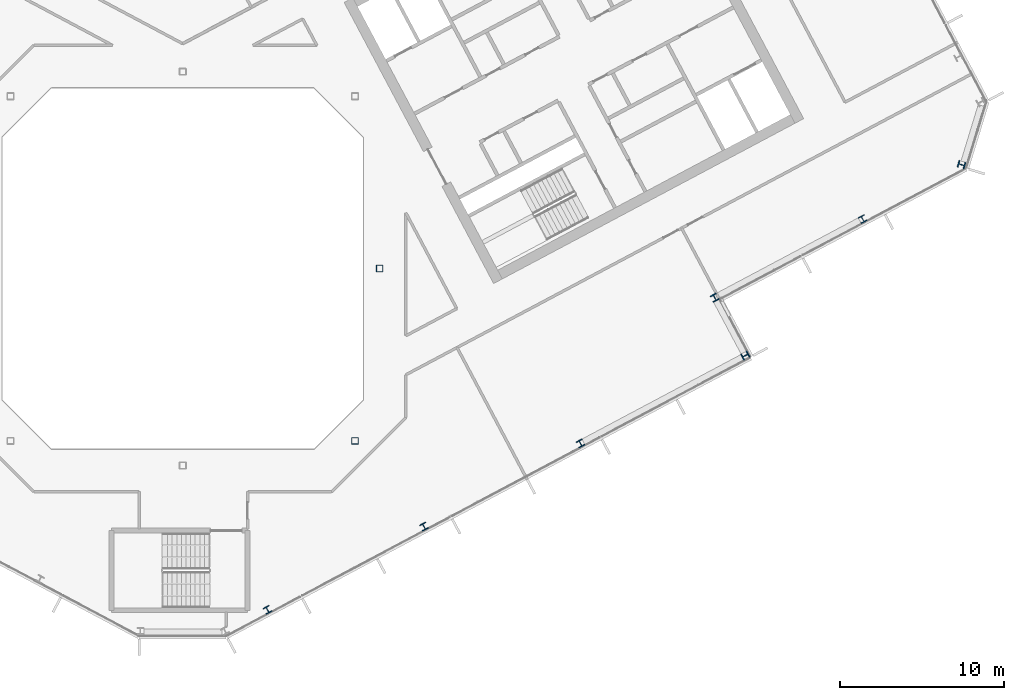
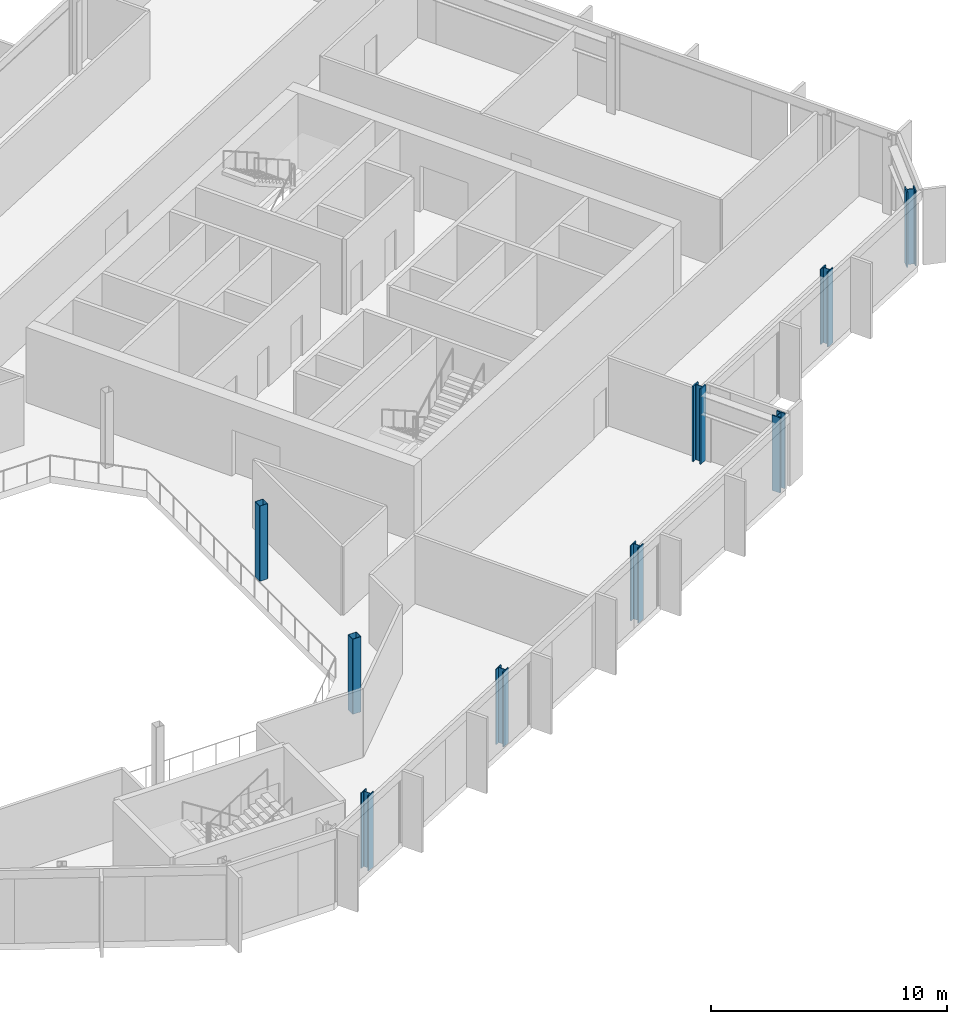
# One storey, part 5 of 26: 9 columns.
"""IFC4 building model written with IfcOpenShell, lengths in metres."""

from ifc_helpers import new_model, si_unit, direction, frame, origin, origin_2d, place, context, subcontext, project, spatial, hollow_rectangle, i_section, extrude, material, material_profile, profile_set, type_object, element, save


model = new_model("IFC4")

# Units and contexts
model_context = context("Model", 3, precision=1e-05, world=origin(), true_north=direction((0.0, 1.0)))
body_context = subcontext(model_context, "Body", "Model", "MODEL_VIEW")
ifc_project = project(units=[si_unit("LENGTHUNIT", "METRE"), si_unit("AREAUNIT", "SQUARE_METRE"), si_unit("VOLUMEUNIT", "CUBIC_METRE"), si_unit("PLANEANGLEUNIT", "RADIAN"), si_unit("MASSUNIT", "GRAM", prefix="KILO")], contexts=[model_context])

# Site, building, storey
site_placement = place(None, origin())
site = spatial("IfcSite", under=ifc_project, at=site_placement, CompositionType="ELEMENT")
building_placement = place(site_placement, origin())
building = spatial("IfcBuilding", under=site, at=building_placement, Name="Cormorant Relay Tower", CompositionType="ELEMENT")
storey_placement = place(building_placement, frame((0.0, 0.0, 213.0)))
storey = spatial("IfcBuildingStorey", under=building, at=storey_placement, Name="L46", CompositionType="ELEMENT", Elevation=213.0)

# Columns
ifc_material_1 = material(Name="Steel ASTM A500 Grade C (Fy 345 MPa)", Category="steel")
ifc_material_profile_1 = material_profile(ifc_material_1, hollow_rectangle(XDim=0.406494140625, YDim=0.406494140625, WallThickness=0.0146484375, InnerFilletRadius=0.00732421875, OuterFilletRadius=0.022216796875, at=origin_2d()), Name="HSS406x406x15")
ifc_profile_set_1 = profile_set([ifc_material_profile_1], Name="Steel ASTM A500 Grade C (Fy 345 MPa)")
column_type_1 = type_object("IfcColumnType", Name="Column HSS406x406x15", PredefinedType="COLUMN", material=ifc_profile_set_1)
for number, where, z_axis, x_axis, name in (
    (1, (10.5, -10.5, 0.0), (0.0, 0.0, 1.0), (1.0, 0.0, 0.0), "Column L46-010"),
    (2, (12.0, 0.0, 0.0), (0.0, 0.0, 1.0), (1.0, 0.0, 0.0), "Column L46-016"),
):
    element("IfcColumn", number, at=place(storey_placement, frame(where, z_axis=z_axis, x_axis=x_axis)), inside=storey, type_object=column_type_1, Name=name, PredefinedType="COLUMN", context=body_context, shape_type="SweptSolid", body=[
        extrude(hollow_rectangle(XDim=0.406494140625, YDim=0.406494140625, WallThickness=0.0146484375, InnerFilletRadius=0.00732421875, OuterFilletRadius=0.022216796875, at=origin_2d()), origin(), (0.0, 0.0, 1.0), 3.89990234375),
    ])
ifc_material_2 = material(Name="Steel ASTM A992 (Fy 345 MPa)", Category="steel")
ifc_material_profile_2 = material_profile(ifc_material_2, i_section(OverallWidth=0.40380859375, OverallDepth=0.406494140625, WebThickness=0.027099609375, FlangeThickness=0.043701171875, FilletRadius=0.01513671875, at=origin_2d()), Name="W360x347")
ifc_profile_set_2 = profile_set([ifc_material_profile_2], Name="Steel ASTM A992 (Fy 345 MPa)")
column_type_2 = type_object("IfcColumnType", Name="Column W360x347", PredefinedType="COLUMN", material=ifc_profile_set_2)
for number, where, z_axis, x_axis, name in (
    (3, (5.1689453125, -20.798095703125, 0.0), (0.0, 0.0, 1.0), (0.882947592859, 0.469471562786, 0.0), "Column L46-003"),
    (4, (14.705078125, -15.72705078125, 0.0), (0.0, 0.0, 1.0), (0.882947592859, 0.469471562786, 0.0), "Column L46-005"),
    (5, (24.240966796875, -10.656982421875, 0.0), (0.0, 0.0, 1.0), (0.882947592859, 0.469471562786, 0.0), "Column L46-008"),
    (6, (41.43408203125, 3.014892578125, 0.0), (0.0, 0.0, 1.0), (0.882947592859, 0.469471562786, 0.0), "Column L46-019"),
):
    element("IfcColumn", number, at=place(storey_placement, frame(where, z_axis=z_axis, x_axis=x_axis)), inside=storey, type_object=column_type_2, Name=name, PredefinedType="COLUMN", context=body_context, shape_type="SweptSolid", body=[
        extrude(i_section(OverallWidth=0.40380859375, OverallDepth=0.406494140625, WebThickness=0.027099609375, FlangeThickness=0.043701171875, FilletRadius=0.01513671875, at=origin_2d()), origin(), (0.0, 0.0, 1.0), 3.89990234375),
    ])
ifc_material_3 = material(Name="Steel ASTM A992 (Fy 345 MPa)", Category="steel")
ifc_material_profile_3 = material_profile(ifc_material_3, i_section(OverallWidth=0.41162109375, OverallDepth=0.434326171875, WebThickness=0.035888671875, FlangeThickness=0.057373046875, FilletRadius=0.01513671875, at=origin_2d()), Name="W360x463")
ifc_profile_set_3 = profile_set([ifc_material_profile_3], Name="Steel ASTM A992 (Fy 345 MPa)")
column_type_3 = type_object("IfcColumnType", Name="Column W360x463", PredefinedType="COLUMN", material=ifc_profile_set_3)
for number, where, z_axis, x_axis, name in (
    (7, (34.284912109375, -5.305908203125, 0.0), (0.0, 0.0, 1.0), (-0.469471562786, 0.882947592859, 0.0), "Column L46-012"),
    (8, (32.4169921875, -1.777099609375, 0.0), (0.0, 0.0, 1.0), (0.882947592859, 0.469471562786, 0.0), "Column L46-014"),
    (9, (47.458984375, 6.325927734375, 0.0), (0.0, 0.0, 1.0), (0.292371704723, 0.956304755963, 0.0), "Column L46-020"),
):
    element("IfcColumn", number, at=place(storey_placement, frame(where, z_axis=z_axis, x_axis=x_axis)), inside=storey, type_object=column_type_3, Name=name, PredefinedType="COLUMN", context=body_context, shape_type="SweptSolid", body=[
        extrude(i_section(OverallWidth=0.41162109375, OverallDepth=0.434326171875, WebThickness=0.035888671875, FlangeThickness=0.057373046875, FilletRadius=0.01513671875, at=origin_2d()), origin(), (0.0, 0.0, 1.0), 3.89990234375),
    ])

save(model, "model.ifc")
